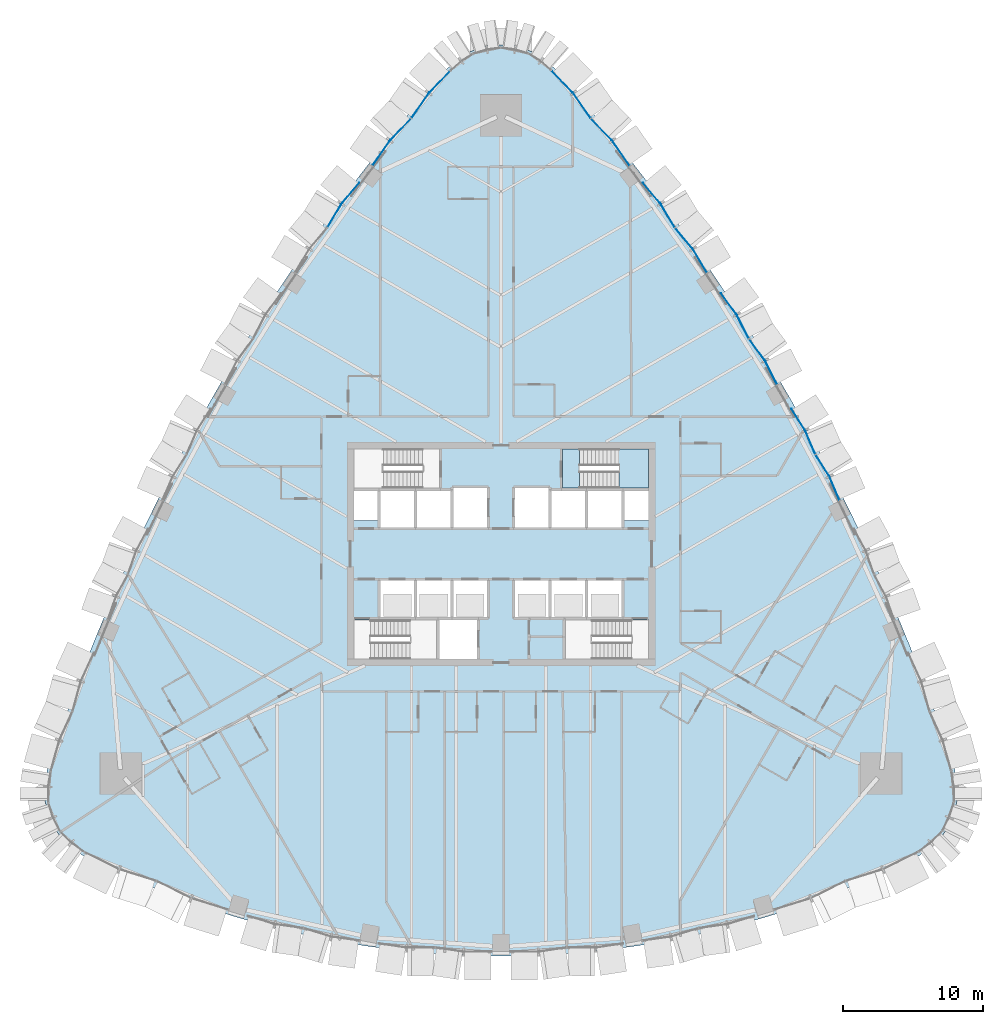
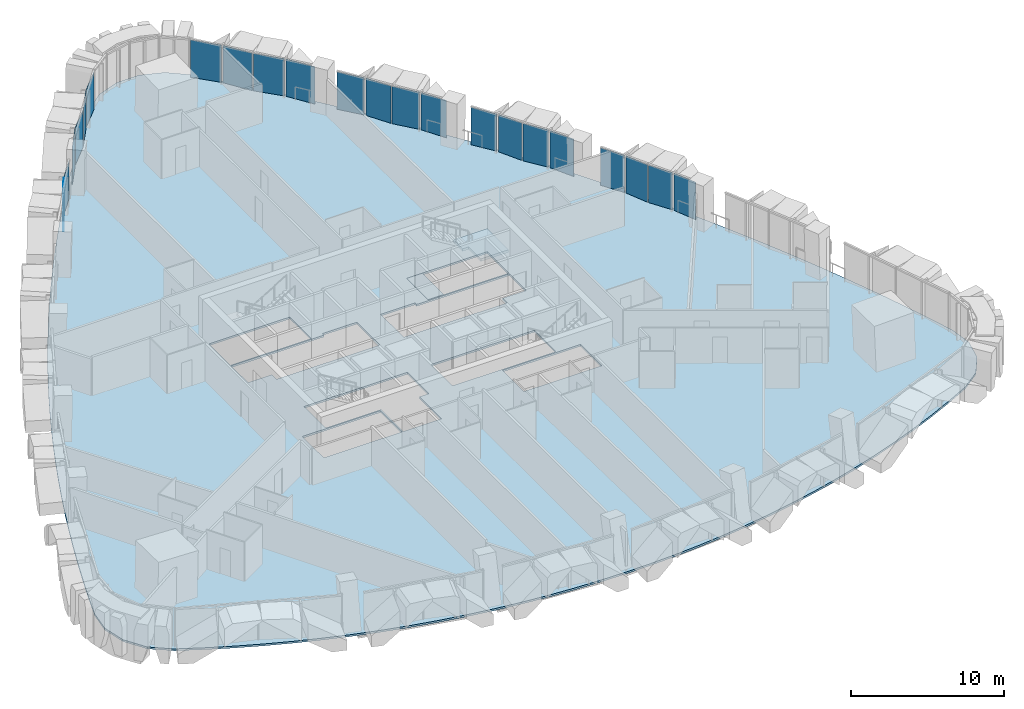
# One storey, part 12 of 23: 22 plates, 3 slabs, 7 elements without a shape of their own.
"""IFC4 building model written with IfcOpenShell, lengths in metres."""

import ifcopenshell
import ifcopenshell.guid

model = None  # the IFC model being written
_history = None  # IfcOwnerHistory: only IFC2X3 demands one
_inside = {}  # id of a spatial element -> (the spatial element, [elements in it])
_under = {}  # id of a project, library or spatial element -> (it, [spatial elements below it])
_declared = {}  # id of a project -> (the project, [libraries it declares])
_typed = {}  # id of a type object -> (the type object, [elements of that type])
_made_of = {}  # id of a material, layer set ... -> (it, [elements and type objects made of it])


def new_model(schema):
    """Start an empty IFC model of exactly this schema.

    Asked for "IFC4X3", IfcOpenShell would pick the latest addendum, in which some entities
    have other attributes; the version numbers below select the first issue.
    IFC2X3 requires an IfcOwnerHistory on every rooted entity: one is made here for all.
    """
    global model, _history
    if schema == "IFC4X3":
        model = ifcopenshell.file(schema_version=(4, 3, 0, 0))
    else:
        model = ifcopenshell.file(schema=schema)
    _inside.clear()
    _under.clear()
    _declared.clear()
    _typed.clear()
    _made_of.clear()
    _history = None
    if model.schema == "IFC2X3":
        org = make("IfcOrganization", Name="unknown")
        user = make(
            "IfcPersonAndOrganization",
            ThePerson=make("IfcPerson", FamilyName="unknown"),
            TheOrganization=org,
        )
        app = make(
            "IfcApplication",
            ApplicationDeveloper=org,
            Version="unknown",
            ApplicationFullName="unknown",
            ApplicationIdentifier="unknown",
        )
        _history = make(
            "IfcOwnerHistory",
            OwningUser=user,
            OwningApplication=app,
            ChangeAction="ADDED",
            CreationDate=0,
        )
    return model


def make(cls, **values):
    """One entity of the class cls with the attributes given. An attribute that is None is left unset."""
    return model.create_entity(
        cls, **{name: value for name, value in values.items() if value is not None}
    )


def rooted(cls, **values):
    """An entity with a GlobalId (a new one), such as an element, a storey or a relation."""
    return make(cls, GlobalId=ifcopenshell.guid.new(), OwnerHistory=_history, **values)


def si_unit(unit_type, name, prefix=None):
    """IfcSIUnit, for example si_unit("LENGTHUNIT", "METRE", prefix="MILLI")."""
    return make("IfcSIUnit", UnitType=unit_type, Prefix=prefix, Name=name)


def assignment(units):
    """IfcUnitAssignment: the units of a project."""
    return None if units is None else make("IfcUnitAssignment", Units=units)


def point(xyz):
    """IfcCartesianPoint."""
    return None if xyz is None else make("IfcCartesianPoint", Coordinates=xyz)


def direction(xyz):
    """IfcDirection."""
    return None if xyz is None else make("IfcDirection", DirectionRatios=xyz)


def frame(location, z_axis=None, x_axis=None):
    """IfcAxis2Placement3D, a coordinate frame: its origin and axes. An axis left out is left unset."""
    return make(
        "IfcAxis2Placement3D",
        Location=point(location),
        Axis=direction(z_axis),
        RefDirection=direction(x_axis),
    )


def origin():
    """The frame at (0, 0, 0) with its axes left unset."""
    return frame((0.0, 0.0, 0.0))


def place(relative_to, where):
    """IfcLocalPlacement: puts the frame where relative to a parent placement (None: the world)."""
    return make(
        "IfcLocalPlacement", PlacementRelTo=relative_to, RelativePlacement=where
    )


def context(
    kind, dimensions, precision=None, world=None, true_north=None, identifier=None
):
    """IfcGeometricRepresentationContext, for example the 3D "Model" context."""
    return make(
        "IfcGeometricRepresentationContext",
        ContextIdentifier=identifier,
        ContextType=kind,
        CoordinateSpaceDimension=dimensions,
        Precision=precision,
        WorldCoordinateSystem=world,
        TrueNorth=true_north,
    )


def subcontext(parent, identifier, kind, view, scale=None):
    """IfcGeometricRepresentationSubContext, for example "Body" below "Model"."""
    return make(
        "IfcGeometricRepresentationSubContext",
        ContextIdentifier=identifier,
        ContextType=kind,
        ParentContext=parent,
        TargetScale=scale,
        TargetView=view,
    )


def project(units=None, contexts=None):
    """IfcProject with its units and contexts."""
    return rooted(
        "IfcProject",
        Name="project",
        RepresentationContexts=contexts,
        UnitsInContext=assignment(units),
    )


def spatial(cls, under=None, at=None, **own):
    """A site, building, storey or space (cls), placed at a placement, below another one or the project."""
    s = rooted(cls, ObjectPlacement=at, **own)
    if under is not None:
        _under.setdefault(under.id(), (under, []))[1].append(s)
    return s


def polyline(points):
    """IfcPolyline through the points."""
    return make("IfcPolyline", Points=[point(p) for p in points])


def outline(outer, holes=None, kind="AREA"):
    """IfcArbitraryClosedProfileDef: a profile drawn as a closed curve; with holes, ...WithVoids."""
    if holes is None:
        return make("IfcArbitraryClosedProfileDef", ProfileType=kind, OuterCurve=outer)
    return make(
        "IfcArbitraryProfileDefWithVoids",
        ProfileType=kind,
        OuterCurve=outer,
        InnerCurves=holes,
    )


def extrude(swept, where, along, depth):
    """IfcExtrudedAreaSolid: the profile swept, set in the frame where, extruded along a direction by depth."""
    return make(
        "IfcExtrudedAreaSolid",
        SweptArea=swept,
        Position=where,
        ExtrudedDirection=direction(along),
        Depth=depth,
    )


def shape(context_of_items, identifier, shape_type, items):
    """IfcShapeRepresentation: the items that make up one representation, for example the "Body"."""
    return make(
        "IfcShapeRepresentation",
        ContextOfItems=context_of_items,
        RepresentationIdentifier=identifier,
        RepresentationType=shape_type,
        Items=items,
    )


def material(Name=None, Category=None):
    """IfcMaterial."""
    return make("IfcMaterial", Name=Name, Category=Category)


def layer(
    of_material, thickness, ventilated=None, Name=None, Category=None, Priority=None
):
    """IfcMaterialLayer: one layer of a wall or slab, of a material (None: an air gap)."""
    return make(
        "IfcMaterialLayer",
        Material=of_material,
        LayerThickness=thickness,
        IsVentilated=ventilated,
        Name=Name,
        Category=Category,
        Priority=Priority,
    )


def layer_set(layers, Name=None):
    """IfcMaterialLayerSet."""
    return make("IfcMaterialLayerSet", MaterialLayers=layers, LayerSetName=Name)


def made_of(thing, what):
    """Note that an element or type object is made of a material, layer set ...; save() writes the relation."""
    if what is not None:
        _made_of.setdefault(what.id(), (what, []))[1].append(thing)
    return thing


def type_object(cls, material=None, **own):
    """A type object (cls), such as IfcWallType, which elements share."""
    return made_of(rooted(cls, **own), material)


def element(
    cls,
    number,
    at=None,
    inside=None,
    cuts=None,
    type_object=None,
    material=None,
    context=None,
    identifier="Body",
    shape_type=None,
    held_by="IfcProductDefinitionShape",
    body=None,
    shapes=None,
    **own,
):
    """One element of the class cls, such as IfcWall. Its Tag is "e" and its number.

    at: its placement. inside: the storey or other place that contains it. cuts: it is an
    opening in that element (IfcRelVoidsElement). A single representation is given by context,
    identifier, shape_type and body (its items); several are given by shapes. held_by: the class
    of the entity that holds the representations. save() writes the other relations.
    """
    e = rooted(cls, Tag="e%d" % number, ObjectPlacement=at, **own)
    if body is not None:
        shapes = [shape(context, identifier, shape_type, body)]
    if shapes is not None:
        e.Representation = make(held_by, Representations=shapes)
    if inside is not None:
        _inside.setdefault(inside.id(), (inside, []))[1].append(e)
    if cuts is not None:
        rooted(
            "IfcRelVoidsElement", RelatingBuildingElement=cuts, RelatedOpeningElement=e
        )
    if type_object is not None:
        _typed.setdefault(type_object.id(), (type_object, []))[1].append(e)
    return made_of(e, material)


def aggregate(whole, parts):
    """IfcRelAggregates: a whole, such as a stair, and the parts it consists of."""
    return rooted("IfcRelAggregates", RelatingObject=whole, RelatedObjects=parts)


def save(model, path):
    """Write the relations noted so far, then the file.

    IfcRelAggregates (storeys below a building ...), IfcRelContainedInSpatialStructure (elements
    in a storey), IfcRelDefinesByType, IfcRelAssociatesMaterial and IfcRelDeclares: one each for
    every whole, place, type object, material and project.
    """
    for whole, parts in _under.values():
        aggregate(whole, parts)
    for where, things in _inside.values():
        rooted(
            "IfcRelContainedInSpatialStructure",
            RelatedElements=things,
            RelatingStructure=where,
        )
    for kind, things in _typed.values():
        rooted("IfcRelDefinesByType", RelatedObjects=things, RelatingType=kind)
    for what, things in _made_of.values():
        rooted("IfcRelAssociatesMaterial", RelatedObjects=things, RelatingMaterial=what)
    for by, libraries in _declared.values():
        rooted("IfcRelDeclares", RelatingContext=by, RelatedDefinitions=libraries)
    model.write(path)


model = new_model("IFC4")

# Units and contexts
model_context = context("Model", 3, precision=1e-05, world=origin(), true_north=direction((0.0, 1.0)))
body_context = subcontext(model_context, "Body", "Model", "MODEL_VIEW")
ifc_project = project(units=[si_unit("LENGTHUNIT", "METRE"), si_unit("AREAUNIT", "SQUARE_METRE"), si_unit("VOLUMEUNIT", "CUBIC_METRE"), si_unit("PLANEANGLEUNIT", "RADIAN"), si_unit("MASSUNIT", "GRAM", prefix="KILO")], contexts=[model_context])

# Site, building, storey
site_placement = place(None, origin())
site = spatial("IfcSite", under=ifc_project, at=site_placement, CompositionType="ELEMENT")
building_placement = place(site_placement, origin())
building = spatial("IfcBuilding", under=site, at=building_placement, Name="Sierra Prisma Convention Tower", CompositionType="ELEMENT")
storey_placement = place(building_placement, frame((0.0, 0.0, 51.699951171875)))
storey = spatial("IfcBuildingStorey", under=building, at=storey_placement, Name="L08", CompositionType="ELEMENT", Elevation=51.699951171875)

# Curtain wall, plates
ifc_material_1 = material(Name="Aluminium and glass curtain wall", Category="aluminium")
ifc_layer_1 = layer(ifc_material_1, 0.179931640625)
ifc_layer_set_1 = layer_set([ifc_layer_1], Name="CW-2 Faceted crystal curtain wall")
curtain_wall_type = type_object("IfcCurtainWallType", Name="CW-2 Faceted crystal curtain wall", PredefinedType="NOTDEFINED", material=ifc_layer_set_1)
curtain_wall_1_placement = place(storey_placement, origin())
curtain_wall_1 = element("IfcCurtainWall", 1, at=curtain_wall_1_placement, inside=storey, type_object=curtain_wall_type, Name="CW-2 NE3 L08", PredefinedType="NOTDEFINED")
ifc_material_2 = material(Name="Tinted glass bronze-grey IGU", Category="glass")
ifc_layer_2 = layer(ifc_material_2, 0.028076171875)
ifc_layer_set_2 = layer_set([ifc_layer_2], Name="CW-2 crystal pane")
plate_type = type_object("IfcPlateType", Name="CW-2 crystal pane", PredefinedType="CURTAIN_PANEL", material=ifc_layer_set_2)
plate_1_placement = place(storey_placement, frame((24.153564453125, 3.85595703125, 0.0), z_axis=(0.918585212397, 0.395222984613, 0.0), x_axis=(-0.395222984613, 0.918585212397, 0.0)))
plate_1 = element("IfcPlate", 2, at=plate_1_placement, type_object=plate_type, Name="CW-2 pane NE3.1.1", PredefinedType="CURTAIN_PANEL", context=body_context, shape_type="SweptSolid", body=[
    extrude(outline(polyline([(0.0, 0.0), (1.762380302368733, 0.0), (1.762380302368733, 2.97998046875), (0.0, 2.97998046875), (0.0, 0.0)])), origin(), (0.0, 0.0, -1.0), 0.028076171875),
])
plate_2_placement = place(storey_placement, frame((22.45556640625, 7.07958984375, 0.0), z_axis=(0.845459275137, 0.534039899337, 0.0), x_axis=(0.534039899337, -0.845459275137, 0.0)))
plate_2 = element("IfcPlate", 3, at=plate_2_placement, type_object=plate_type, Name="CW-2 pane NE3.1.2", PredefinedType="CURTAIN_PANEL", context=body_context, shape_type="SweptSolid", body=[
    extrude(outline(polyline([(0.0, 0.0), (1.762344181667153, 0.0), (1.762344181667153, -2.9799804687500004), (0.0, -2.9799804687500004), (0.0, 0.0)])), origin(), (0.0, 0.0, -1.0), 0.028076171875),
])
plate_3_placement = place(storey_placement, frame((22.4228515625, 7.1416015625, 0.0), z_axis=(0.91861386918, 0.395156373288, 0.0), x_axis=(-0.395156373288, 0.91861386918, 0.0)))
plate_3 = element("IfcPlate", 4, at=plate_3_placement, type_object=plate_type, Name="CW-2 pane NE3.2.1", PredefinedType="CURTAIN_PANEL", context=body_context, shape_type="SweptSolid", body=[
    extrude(outline(polyline([(0.0, 0.0), (1.7620595530470864, 0.0), (1.7620595530470864, 2.9799804687500004), (0.0, 2.9799804687500004), (0.0, 0.0)])), origin(), (0.0, 0.0, -1.0), 0.028076171875),
])
plate_4_placement = place(storey_placement, frame((20.724853515625, 10.364990234375, 0.0), z_axis=(0.845459275137, 0.534039899337, 0.0), x_axis=(0.534039899337, -0.845459275137, 0.0)))
plate_4 = element("IfcPlate", 5, at=plate_4_placement, type_object=plate_type, Name="CW-2 pane NE3.2.2", PredefinedType="CURTAIN_PANEL", context=body_context, shape_type="SweptSolid", body=[
    extrude(outline(polyline([(0.0, 0.0), (1.762344181667153, 0.0), (1.762344181667153, -2.9799804687500004), (0.0, -2.9799804687500004), (0.0, 0.0)])), origin(), (0.0, 0.0, -1.0), 0.028076171875),
])
aggregate(curtain_wall_1, [plate_1, plate_2, plate_3, plate_4])

curtain_wall_2_placement = place(storey_placement, origin())
curtain_wall_2 = element("IfcCurtainWall", 6, at=curtain_wall_2_placement, inside=storey, type_object=curtain_wall_type, Name="CW-2 NE4 L08", PredefinedType="NOTDEFINED")
plate_5_placement = place(storey_placement, frame((19.702880859375, 12.109375, 0.0), z_axis=(0.889821626439, 0.456308528434, 0.0), x_axis=(-0.456308528434, 0.889821626439, 0.0)))
plate_5 = element("IfcPlate", 7, at=plate_5_placement, type_object=plate_type, Name="CW-2 pane NE4.1.1", PredefinedType="CURTAIN_PANEL", context=body_context, shape_type="SweptSolid", body=[
    extrude(outline(polyline([(0.0, 0.0), (1.8314217405540394, 0.0), (1.8314217405540394, 2.9799804687500004), (0.0, 2.9799804687500004), (0.0, 0.0)])), origin(), (0.0, 0.0, -1.0), 0.028076171875),
])
plate_6_placement = place(storey_placement, frame((17.71875, 15.328369140625, 0.0), z_axis=(0.807454612219, 0.589929698528, 0.0), x_axis=(0.589929698528, -0.807454612219, 0.0)))
plate_6 = element("IfcPlate", 8, at=plate_6_placement, type_object=plate_type, Name="CW-2 pane NE4.1.2", PredefinedType="CURTAIN_PANEL", context=body_context, shape_type="SweptSolid", body=[
    extrude(outline(polyline([(0.0, 0.0), (1.8316867398708765, 0.0), (1.8316867398708765, -2.97998046875), (0.0, -2.97998046875), (0.0, 0.0)])), origin(), (0.0, 0.0, -1.0), 0.028076171875),
])
plate_7_placement = place(storey_placement, frame((17.68212890625, 15.387939453125, 0.0), z_axis=(0.889849378266, 0.456254407101, 0.0), x_axis=(-0.456254407101, 0.889849378266, 0.0)))
plate_7 = element("IfcPlate", 9, at=plate_7_placement, type_object=plate_type, Name="CW-2 pane NE4.2.1", PredefinedType="CURTAIN_PANEL", context=body_context, shape_type="SweptSolid", body=[
    extrude(outline(polyline([(0.0, 0.0), (1.8316389855499318, 0.0), (1.8316389855499318, 2.97998046875), (0.0, 2.97998046875), (0.0, 0.0)])), origin(), (0.0, 0.0, -1.0), 0.028076171875),
])
plate_8_placement = place(storey_placement, frame((15.697998046875, 18.607177734375, 0.0), z_axis=(0.807518102813, 0.589842787215, 0.0), x_axis=(0.589842787215, -0.807518102813, 0.0)))
plate_8 = element("IfcPlate", 10, at=plate_8_placement, type_object=plate_type, Name="CW-2 pane NE4.2.2", PredefinedType="CURTAIN_PANEL", context=body_context, shape_type="SweptSolid", body=[
    extrude(outline(polyline([(0.0, 0.0), (1.8315427246744456, 0.0), (1.8315427246744456, -2.97998046875), (0.0, -2.97998046875), (0.0, 0.0)])), origin(), (0.0, 0.0, -1.0), 0.028076171875),
])
aggregate(curtain_wall_2, [plate_5, plate_6, plate_7, plate_8])

curtain_wall_3_placement = place(storey_placement, origin())
curtain_wall_3 = element("IfcCurtainWall", 11, at=curtain_wall_3_placement, inside=storey, type_object=curtain_wall_type, Name="CW-2 NE5 L08", PredefinedType="NOTDEFINED")
plate_9_placement = place(storey_placement, frame((14.701171875, 20.08154296875, 0.0), z_axis=(0.856991594288, 0.515330386568, 0.0), x_axis=(-0.515330386568, 0.856991594288, 0.0)))
plate_9 = element("IfcPlate", 12, at=plate_9_placement, type_object=plate_type, Name="CW-2 pane NE5.1.1", PredefinedType="CURTAIN_PANEL", context=body_context, shape_type="SweptSolid", body=[
    extrude(outline(polyline([(0.0, 0.0), (1.8921796223659952, 0.0), (1.8921796223659952, 2.97998046875), (0.0, 2.97998046875), (0.0, 0.0)])), origin(), (0.0, 0.0, -1.0), 0.028076171875),
])
plate_10_placement = place(storey_placement, frame((12.43408203125, 23.2578125, 0.0), z_axis=(0.765847176662, 0.643022629461, 0.0), x_axis=(0.643022629461, -0.765847176662, 0.0)))
plate_10 = element("IfcPlate", 13, at=plate_10_placement, type_object=plate_type, Name="CW-2 pane NE5.1.2", PredefinedType="CURTAIN_PANEL", context=body_context, shape_type="SweptSolid", body=[
    extrude(outline(polyline([(0.0, 0.0), (1.8923080141354707, 0.0), (1.8923080141354707, -2.97998046875), (0.0, -2.97998046875), (0.0, 0.0)])), origin(), (0.0, 0.0, -1.0), 0.028076171875),
])
plate_11_placement = place(storey_placement, frame((12.3935546875, 23.31494140625, 0.0), z_axis=(0.856991594288, 0.515330386568, 0.0), x_axis=(-0.515330386568, 0.856991594288, 0.0)))
plate_11 = element("IfcPlate", 14, at=plate_11_placement, type_object=plate_type, Name="CW-2 pane NE5.2.1", PredefinedType="CURTAIN_PANEL", context=body_context, shape_type="SweptSolid", body=[
    extrude(outline(polyline([(0.0, 0.0), (1.8921796223659952, 0.0), (1.8921796223659952, 2.97998046875), (0.0, 2.97998046875), (0.0, 0.0)])), origin(), (0.0, 0.0, -1.0), 0.028076171875),
])
plate_12_placement = place(storey_placement, frame((10.12646484375, 26.4912109375, 0.0), z_axis=(0.765910713715, 0.642946948524, 0.0), x_axis=(0.642946948524, -0.765910713715, 0.0)))
plate_12 = element("IfcPlate", 15, at=plate_12_placement, type_object=plate_type, Name="CW-2 pane NE5.2.2", PredefinedType="CURTAIN_PANEL", context=body_context, shape_type="SweptSolid", body=[
    extrude(outline(polyline([(0.0, 0.0), (1.8921510354268372, 0.0), (1.8921510354268372, -2.97998046875), (0.0, -2.97998046875), (0.0, 0.0)])), origin(), (0.0, 0.0, -1.0), 0.028076171875),
])
aggregate(curtain_wall_3, [plate_9, plate_10, plate_11, plate_12])

curtain_wall_4_placement = place(storey_placement, origin())
curtain_wall_4 = element("IfcCurtainWall", 16, at=curtain_wall_4_placement, inside=storey, type_object=curtain_wall_type, Name="CW-2 NE6 L08", PredefinedType="NOTDEFINED")
plate_13_placement = place(storey_placement, frame((9.181884765625, 27.712890625, 0.0), z_axis=(0.820289175454, 0.57194900877, 0.0), x_axis=(-0.57194900877, 0.820289175454, 0.0)))
plate_13 = element("IfcPlate", 17, at=plate_13_placement, type_object=plate_type, Name="CW-2 pane NE6.1.1", PredefinedType="CURTAIN_PANEL", context=body_context, shape_type="SweptSolid", body=[
    extrude(outline(polyline([(0.0, 0.0), (2.1018454775975774, 0.0), (2.1018454775975774, 2.97998046875), (0.0, 2.97998046875), (0.0, 0.0)])), origin(), (0.0, 0.0, -1.0), 0.028076171875),
])
plate_14_placement = place(storey_placement, frame((6.4404296875, 31.052001953125, 0.0), z_axis=(0.720737081195, 0.693208525475, 0.0), x_axis=(0.693208525475, -0.720737081195, 0.0)))
plate_14 = element("IfcPlate", 18, at=plate_14_placement, type_object=plate_type, Name="CW-2 pane NE6.1.2", PredefinedType="CURTAIN_PANEL", context=body_context, shape_type="SweptSolid", body=[
    extrude(outline(polyline([(0.0, 0.0), (2.101865739464529, 0.0), (2.101865739464529, -2.97998046875), (0.0, -2.97998046875), (0.0, 0.0)])), origin(), (0.0, 0.0, -1.0), 0.028076171875),
])
plate_15_placement = place(storey_placement, frame((6.396240234375, 31.106201171875, 0.0), z_axis=(0.820289175454, 0.57194900877, 0.0), x_axis=(-0.57194900877, 0.820289175454, 0.0)))
plate_15 = element("IfcPlate", 19, at=plate_15_placement, type_object=plate_type, Name="CW-2 pane NE6.2.1", PredefinedType="CURTAIN_PANEL", context=body_context, shape_type="SweptSolid", body=[
    extrude(outline(polyline([(0.0, 0.0), (2.1018454775975774, 0.0), (2.1018454775975774, 2.97998046875), (0.0, 2.97998046875), (0.0, 0.0)])), origin(), (0.0, 0.0, -1.0), 0.028076171875),
])
plate_16_placement = place(storey_placement, frame((3.65478515625, 34.4453125, 0.0), z_axis=(0.720737081195, 0.693208525475, 0.0), x_axis=(0.693208525475, -0.720737081195, 0.0)))
plate_16 = element("IfcPlate", 20, at=plate_16_placement, type_object=plate_type, Name="CW-2 pane NE6.2.2", PredefinedType="CURTAIN_PANEL", context=body_context, shape_type="SweptSolid", body=[
    extrude(outline(polyline([(0.0, 0.0), (2.101865739464529, 0.0), (2.101865739464529, -2.97998046875), (0.0, -2.97998046875), (0.0, 0.0)])), origin(), (0.0, 0.0, -1.0), 0.028076171875),
])
aggregate(curtain_wall_4, [plate_13, plate_14, plate_15, plate_16])

curtain_wall_5_placement = place(storey_placement, origin())
curtain_wall_5 = element("IfcCurtainWall", 21, at=curtain_wall_5_placement, inside=storey, type_object=curtain_wall_type, Name="CW-2 NW1 L08", PredefinedType="NOTDEFINED")
plate_17_placement = place(storey_placement, frame((-3.65478515625, 34.4453125, 0.0), z_axis=(-0.720703371372, 0.693243572269, 0.0), x_axis=(-0.693243572269, -0.720703371372, 0.0)))
plate_17 = element("IfcPlate", 22, at=plate_17_placement, type_object=plate_type, Name="CW-2 pane NW1.1.1", PredefinedType="CURTAIN_PANEL", context=body_context, shape_type="SweptSolid", body=[
    extrude(outline(polyline([(0.0, 0.0), (2.098237765102561, 0.0), (2.098237765102561, 2.97998046875), (0.0, 2.97998046875), (0.0, 0.0)])), origin(), (0.0, 0.0, -1.0), 0.028076171875),
])
plate_18_placement = place(storey_placement, frame((-6.3916015625, 31.111572265625, 0.0), z_axis=(-0.820269139513, 0.571977743241, 0.0), x_axis=(0.571977743241, 0.820269139513, 0.0)))
plate_18 = element("IfcPlate", 23, at=plate_18_placement, type_object=plate_type, Name="CW-2 pane NW1.1.2", PredefinedType="CURTAIN_PANEL", context=body_context, shape_type="SweptSolid", body=[
    extrude(outline(polyline([(0.0, 0.0), (2.0983252000335475, 0.0), (2.0983252000335475, -2.9799804687500004), (0.0, -2.9799804687500004), (0.0, 0.0)])), origin(), (0.0, 0.0, -1.0), 0.028076171875),
])
plate_19_placement = place(storey_placement, frame((-6.43603515625, 31.0576171875, 0.0), z_axis=(-0.720703371372, 0.693243572269, 0.0), x_axis=(-0.693243572269, -0.720703371372, 0.0)))
plate_19 = element("IfcPlate", 24, at=plate_19_placement, type_object=plate_type, Name="CW-2 pane NW1.2.1", PredefinedType="CURTAIN_PANEL", context=body_context, shape_type="SweptSolid", body=[
    extrude(outline(polyline([(0.0, 0.0), (2.098237765102561, 0.0), (2.098237765102561, 2.97998046875), (0.0, 2.97998046875), (0.0, 0.0)])), origin(), (0.0, 0.0, -1.0), 0.028076171875),
])
plate_20_placement = place(storey_placement, frame((-9.1728515625, 27.723876953125, 0.0), z_axis=(-0.82032372811, 0.571899450165, 0.0), x_axis=(0.571899450165, 0.82032372811, 0.0)))
plate_20 = element("IfcPlate", 25, at=plate_20_placement, type_object=plate_type, Name="CW-2 pane NW1.2.2", PredefinedType="CURTAIN_PANEL", context=body_context, shape_type="SweptSolid", body=[
    extrude(outline(polyline([(0.0, 0.0), (2.098185566586768, 0.0), (2.098185566586768, -2.97998046875), (0.0, -2.97998046875), (0.0, 0.0)])), origin(), (0.0, 0.0, -1.0), 0.028076171875),
])
aggregate(curtain_wall_5, [plate_17, plate_18, plate_19, plate_20])

curtain_wall_6_placement = place(storey_placement, origin())
curtain_wall_6 = element("IfcCurtainWall", 26, at=curtain_wall_6_placement, inside=storey, type_object=curtain_wall_type, Name="CW-2 NW2 L08", PredefinedType="NOTDEFINED")
plate_21_placement = place(storey_placement, frame((-10.12646484375, 26.4912109375, 0.0), z_axis=(-0.765862797781, 0.643004024074, 0.0), x_axis=(-0.643004024074, -0.765862797781, 0.0)))
plate_21 = element("IfcPlate", 27, at=plate_21_placement, type_object=plate_type, Name="CW-2 pane NW2.1.1", PredefinedType="CURTAIN_PANEL", context=body_context, shape_type="SweptSolid", body=[
    extrude(outline(polyline([(0.0, 0.0), (1.887806517615688, 0.0), (1.887806517615688, 2.97998046875), (0.0, 2.97998046875), (0.0, 0.0)])), origin(), (0.0, 0.0, -1.0), 0.028076171875),
])
plate_22_placement = place(storey_placement, frame((-12.388427734375, 23.322021484375, 0.0), z_axis=(-0.856990459284, 0.515332274068, 0.0), x_axis=(0.515332274068, 0.856990459284, 0.0)))
plate_22 = element("IfcPlate", 28, at=plate_22_placement, type_object=plate_type, Name="CW-2 pane NW2.1.2", PredefinedType="CURTAIN_PANEL", context=body_context, shape_type="SweptSolid", body=[
    extrude(outline(polyline([(0.0, 0.0), (1.8879089076749134, 0.0), (1.8879089076749134, -2.97998046875), (0.0, -2.97998046875), (0.0, 0.0)])), origin(), (0.0, 0.0, -1.0), 0.028076171875),
])
aggregate(curtain_wall_6, [plate_21, plate_22])

# Slab
ifc_material_3 = material(Name="Concrete C35/45", Category="concrete")
ifc_layer_3 = layer(ifc_material_3, 0.14990234375)
ifc_layer_set_3 = layer_set([ifc_layer_3], Name="Composite floor slab 150")
slab_type_1 = type_object("IfcSlabType", Name="Composite floor slab 150", PredefinedType="FLOOR", material=ifc_layer_set_3)
slab_1_placement = place(storey_placement, frame((0.0, 0.0, -0.14990234375)))
element("IfcSlab", 29, at=slab_1_placement, inside=storey, type_object=slab_type_1, Name="Floor slab L08 floor", PredefinedType="FLOOR", context=body_context, shape_type="SweptSolid", body=[
    extrude(outline(polyline([(-29.865234375, -21.48095703125), (-28.126708984375, -22.33642578125), (-26.363525390625, -23.140380859375), (-24.57763671875, -23.891845703125), (-22.770263671875, -24.590576171875), (-20.94287109375, -25.2353515625), (-19.09765625, -25.826171875), (-17.235595703125, -26.362060546875), (-15.3583984375, -26.843017578125), (-13.468017578125, -27.268310546875), (-11.56591796875, -27.6376953125), (-9.653564453125, -27.95068359375), (-7.73291015625, -28.207275390625), (-5.8056640625, -28.406982421875), (-3.873291015625, -28.5498046875), (-1.9375, -28.635498046875), (0.0, -28.6640625), (1.9375, -28.635498046875), (3.873291015625, -28.5498046875), (5.8056640625, -28.406982421875), (7.73291015625, -28.207275390625), (9.653564453125, -27.95068359375), (11.56591796875, -27.6376953125), (13.468017578125, -27.268310546875), (15.3583984375, -26.843017578125), (17.235595703125, -26.362060546875), (19.09765625, -25.826171875), (20.94287109375, -25.2353515625), (22.770263671875, -24.590576171875), (24.57763671875, -23.891845703125), (26.363525390625, -23.140380859375), (28.126708984375, -22.33642578125), (29.865234375, -21.48095703125), (31.28271484375, -20.40576171875), (32.240234375, -18.906005859375), (32.619140625, -17.16748046875), (32.372314453125, -15.4052734375), (31.758544921875, -13.5703125), (31.1201171875, -11.743896484375), (30.457275390625, -9.92626953125), (29.76953125, -8.11767578125), (29.057861328125, -6.318603515625), (28.32177734375, -4.529052734375), (27.5615234375, -2.75), (26.77734375, -0.981201171875), (25.96923828125, 0.77685546875), (25.1376953125, 2.52392578125), (24.282470703125, 4.259521484375), (23.404052734375, 5.9833984375), (22.502197265625, 7.6953125), (21.577392578125, 9.394775390625), (20.6298828125, 11.081787109375), (19.659423828125, 12.755615234375), (18.66650390625, 14.416259765625), (17.6513671875, 16.0634765625), (16.614013671875, 17.69677734375), (15.5546875, 19.31591796875), (14.4736328125, 20.92041015625), (13.37109375, 22.51025390625), (12.2470703125, 24.085205078125), (11.101806640625, 25.644775390625), (9.935546875, 27.188720703125), (8.748779296875, 28.716796875), (7.541259765625, 30.228515625), (6.3134765625, 31.723876953125), (5.065673828125, 33.20263671875), (3.798095703125, 34.664306640625), (2.4677734375, 35.739501953125), (0.855224609375, 36.3095703125), (-0.855224609375, 36.3095703125), (-2.4677734375, 35.739501953125), (-3.798095703125, 34.664306640625), (-5.065673828125, 33.20263671875), (-6.3134765625, 31.723876953125), (-7.541259765625, 30.228515625), (-8.748779296875, 28.716796875), (-9.935546875, 27.188720703125), (-11.101806640625, 25.644775390625), (-12.2470703125, 24.085205078125), (-13.37109375, 22.51025390625), (-14.4736328125, 20.92041015625), (-15.5546875, 19.31591796875), (-16.614013671875, 17.69677734375), (-17.6513671875, 16.0634765625), (-18.66650390625, 14.416259765625), (-19.659423828125, 12.755615234375), (-20.6298828125, 11.081787109375), (-21.577392578125, 9.394775390625), (-22.502197265625, 7.6953125), (-23.404052734375, 5.9833984375), (-24.282470703125, 4.259521484375), (-25.1376953125, 2.52392578125), (-25.96923828125, 0.77685546875), (-26.77734375, -0.981201171875), (-27.5615234375, -2.75), (-28.32177734375, -4.529052734375), (-29.057861328125, -6.318603515625), (-29.76953125, -8.11767578125), (-30.457275390625, -9.92626953125), (-31.1201171875, -11.743896484375), (-31.758544921875, -13.5703125), (-32.372314453125, -15.4052734375), (-32.619140625, -17.16748046875), (-32.240234375, -18.906005859375), (-31.28271484375, -20.40576171875), (-29.865234375, -21.48095703125)]), holes=[polyline([(-4.60009765625, -7.5), (-10.5, -7.5), (-10.5, -4.699951171875), (-4.60009765625, -4.699951171875), (-4.60009765625, -7.5)]), polyline([(-8.699951171875, -4.60009765625), (-8.699951171875, -1.800048828125), (-6.10009765625, -1.800048828125), (-3.5, -1.800048828125), (-0.89990234375, -1.800048828125), (-0.89990234375, -4.60009765625), (-1.60009765625, -4.60009765625), (-1.60009765625, -7.5), (-4.5, -7.5), (-4.5, -4.60009765625), (-6.10009765625, -4.60009765625), (-8.699951171875, -4.60009765625)]), polyline([(-10.5, 4.60009765625), (-8.699951171875, 4.60009765625), (-6.10009765625, 4.60009765625), (-3.5, 4.60009765625), (-3.5, 4.800048828125), (-0.89990234375, 4.800048828125), (-0.89990234375, 1.800048828125), (-3.5, 1.800048828125), (-6.10009765625, 1.800048828125), (-8.699951171875, 1.800048828125), (-8.699951171875, 2.39990234375), (-10.5, 2.39990234375), (-10.5, 4.60009765625)]), polyline([(-4.39990234375, 4.699951171875), (-10.5, 4.699951171875), (-10.5, 7.5), (-4.39990234375, 7.5), (-4.39990234375, 4.699951171875)]), polyline([(10.5, -7.5), (4.60009765625, -7.5), (4.60009765625, -4.699951171875), (10.5, -4.699951171875), (10.5, -7.5)]), polyline([(6.10009765625, -1.800048828125), (8.699951171875, -1.800048828125), (8.699951171875, -4.60009765625), (6.10009765625, -4.60009765625), (3.5, -4.60009765625), (0.89990234375, -4.60009765625), (0.89990234375, -1.800048828125), (3.5, -1.800048828125), (6.10009765625, -1.800048828125)]), polyline([(10.5, 4.60009765625), (10.5, 2.39990234375), (8.699951171875, 2.39990234375), (8.699951171875, 1.800048828125), (6.10009765625, 1.800048828125), (3.5, 1.800048828125), (0.89990234375, 1.800048828125), (0.89990234375, 4.800048828125), (3.5, 4.800048828125), (3.5, 4.60009765625), (6.10009765625, 4.60009765625), (8.699951171875, 4.60009765625), (10.5, 4.60009765625)]), polyline([(4.39990234375, 4.699951171875), (4.39990234375, 7.5), (10.5, 7.5), (10.5, 4.699951171875), (4.39990234375, 4.699951171875)])]), origin(), (0.0, 0.0, 1.0), 0.14990234375),
])

# Stair, slab
ifc_material_4 = material(Name="Concrete C30/37", Category="concrete")
stair_type = type_object("IfcStairType", Name="Stair dog-leg 1200 RC", PredefinedType="HALF_TURN_STAIR", material=ifc_material_4)
stair_placement = place(storey_placement, origin())
stair = element("IfcStair", 30, at=stair_placement, inside=storey, type_object=stair_type, Name="L08 S4", PredefinedType="HALF_TURN_STAIR")
ifc_material_5 = material(Name="Concrete C35/45", Category="concrete")
ifc_layer_4 = layer(ifc_material_5, 0.199951171875)
ifc_layer_set_4 = layer_set([ifc_layer_4], Name="Stair landing slab")
slab_type_2 = type_object("IfcSlabType", Name="Stair landing slab", PredefinedType="LANDING", material=ifc_layer_set_4)
slab_2_placement = place(storey_placement, frame((0.0, 0.0, 1.650146484375)))
slab_2 = element("IfcSlab", 31, at=slab_2_placement, type_object=slab_type_2, Name="S4 landing 1", PredefinedType="LANDING", context=body_context, shape_type="SweptSolid", body=[
    extrude(outline(polyline([(10.5, 7.5), (10.5, 4.699951171875), (8.39794921875, 4.699951171875), (8.39794921875, 6.300048828125), (7.949951171875, 6.300048828125), (7.949951171875, 7.5), (10.5, 7.5)])), origin(), (0.0, 0.0, 1.0), 0.199951171875),
])
aggregate(stair, [slab_2])

# Slab
slab_3_placement = place(storey_placement, frame((0.0, 0.0, -0.199951171875)))
element("IfcSlab", 32, at=slab_3_placement, inside=storey, type_object=slab_type_2, Name="S4 floor landing L08", PredefinedType="LANDING", context=body_context, shape_type="SweptSolid", body=[
    extrude(outline(polyline([(4.39990234375, 4.699951171875), (5.60205078125, 4.699951171875), (5.60205078125, 7.5), (4.39990234375, 7.5), (4.39990234375, 4.699951171875)])), origin(), (0.0, 0.0, 1.0), 0.199951171875),
])

save(model, "model.ifc")
